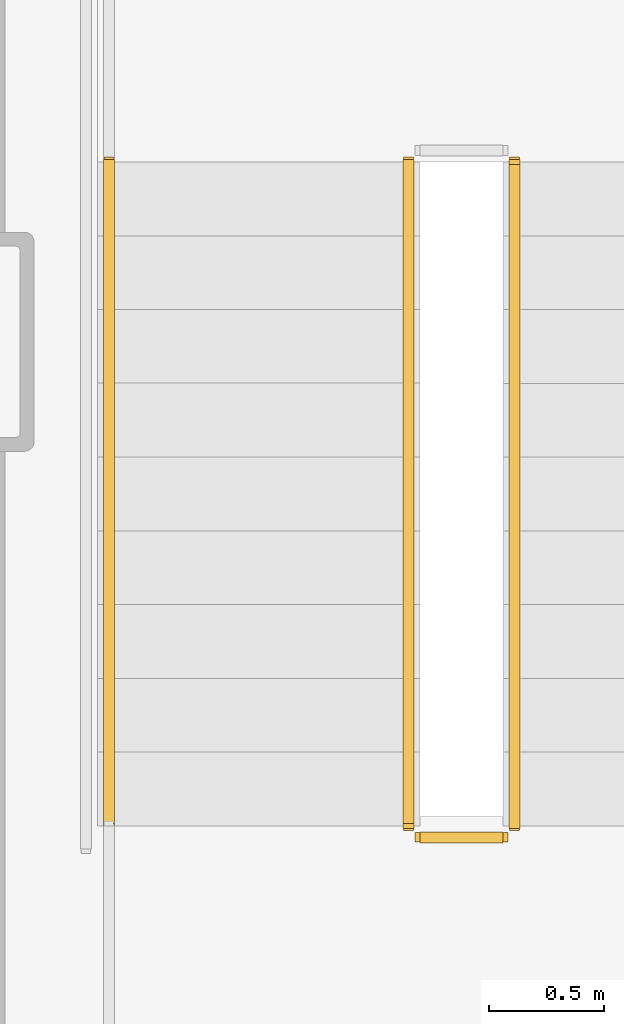
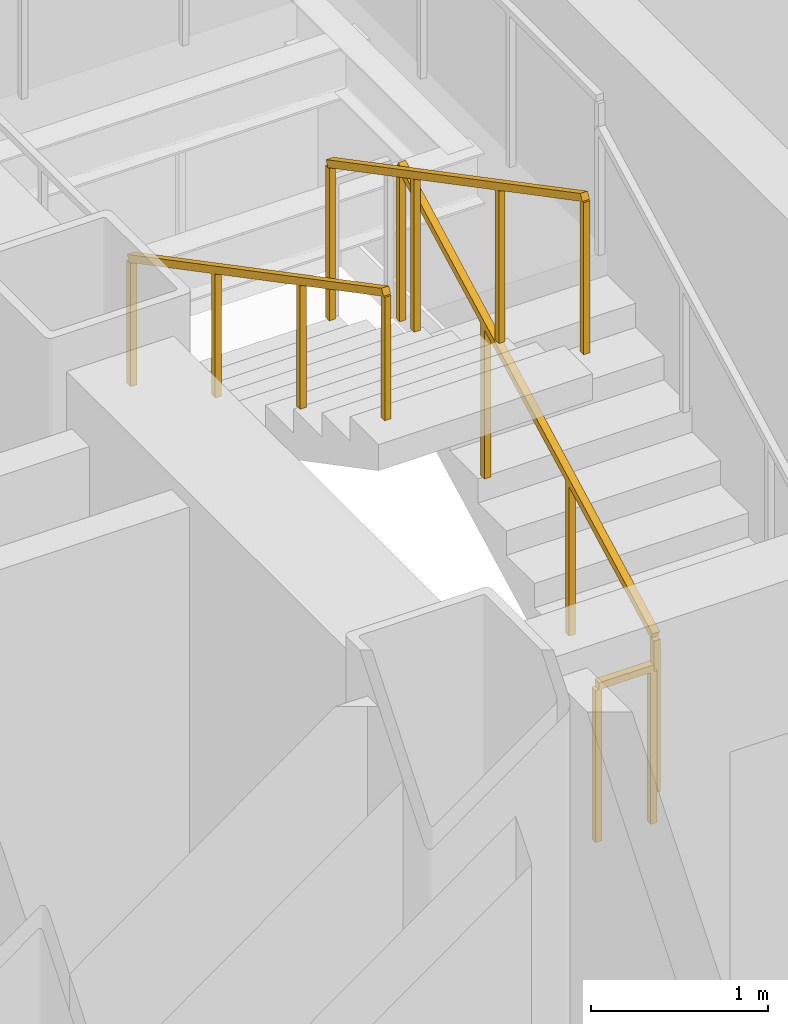
# One storey, part 10 of 13: 4 railings.
"""IFC4 building model written with IfcOpenShell, lengths in metres."""

from ifc_helpers import new_model, si_unit, direction, frame, origin, origin_2d, place, context, subcontext, project, spatial, rectangle, extrude, material, layer, layer_set, type_object, element, save


model = new_model("IFC4")

# Units and contexts
model_context = context("Model", 3, precision=1e-05, world=origin(), true_north=direction((0.0, 1.0)))
body_context = subcontext(model_context, "Body", "Model", "MODEL_VIEW")
ifc_project = project(units=[si_unit("LENGTHUNIT", "METRE"), si_unit("AREAUNIT", "SQUARE_METRE"), si_unit("VOLUMEUNIT", "CUBIC_METRE"), si_unit("PLANEANGLEUNIT", "RADIAN"), si_unit("MASSUNIT", "GRAM", prefix="KILO")], contexts=[model_context])

# Site, building, storey
site_placement = place(None, origin())
site = spatial("IfcSite", under=ifc_project, at=site_placement, CompositionType="ELEMENT")
building_placement = place(site_placement, origin())
building = spatial("IfcBuilding", under=site, at=building_placement, Name="Rocaltana Carrier Exchange", CompositionType="ELEMENT")
storey_placement = place(building_placement, frame((0.0, 0.0, 59.679931640625)))
storey = spatial("IfcBuildingStorey", under=building, at=storey_placement, Name="L18", CompositionType="ELEMENT", Elevation=59.679931640625)

# Railings
ifc_material_1 = material(Name="Brushed Architectural Stainless Tube", Category="steel")
ifc_layer_1 = layer(ifc_material_1, 0.048095703125)
ifc_layer_set_1 = layer_set([ifc_layer_1], Name="Brushed Architectural Stainless Tube")
railing_type_1 = type_object("IfcRailingType", Name="Stair Wall Handrail 920", PredefinedType="HANDRAIL", material=ifc_layer_set_1)
railing_1_placement = place(storey_placement, frame((-5.25, 0.780029296875, 1.84814453125)))
element("IfcRailing", 1, at=railing_1_placement, inside=storey, type_object=railing_type_1, Name="L18 ST-1 stair handrail 2", PredefinedType="HANDRAIL", context=body_context, shape_type="SweptSolid", body=[
    extrude(rectangle(XDim=0.048095703125, YDim=0.048095703125, at=origin_2d()), frame((0.0, 0.0, 0.8759765625), z_axis=(0.0, -0.885411030485, 0.464808893091), x_axis=(1.0, 0.0, 0.0)), (0.0, 0.0, 1.0), 3.2529296875),
    extrude(rectangle(XDim=0.0419921875, YDim=0.0419921875, at=origin_2d()), origin(), (0.0, 0.0, 1.0), 0.851806640625),
    extrude(rectangle(XDim=0.0419921875, YDim=0.0419921875, at=origin_2d()), frame((0.0, -0.9599609375, 0.50390625)), (0.0, 0.0, 1.0), 0.851806640625),
    extrude(rectangle(XDim=0.0419921875, YDim=0.0419921875, at=origin_2d()), frame((0.0, -1.920166015625, 1.008056640625)), (0.0, 0.0, 1.0), 0.851806640625),
    extrude(rectangle(XDim=0.0419921875, YDim=0.0419921875, at=origin_2d()), frame((0.0, -2.880126953125, 1.511962890625)), (0.0, 0.0, 1.0), 0.851806640625),
])
ifc_material_2 = material(Name="Powder-Coated Aluminium 6063-T6", Category="aluminium")
ifc_layer_2 = layer(ifc_material_2, 0.048095703125)
ifc_layer_set_2 = layer_set([ifc_layer_2], Name="Powder-Coated Aluminium 6063-T6")
railing_type_2 = type_object("IfcRailingType", Name="Stair Well Guardrail 1100", PredefinedType="GUARDRAIL", material=ifc_layer_set_2)
railing_2_placement = place(storey_placement, frame((-3.489990234375, -2.10009765625, 0.16796875)))
element("IfcRailing", 2, at=railing_2_placement, inside=storey, type_object=railing_type_2, Name="L18 ST-1 stair guard 1", PredefinedType="GUARDRAIL", context=body_context, shape_type="SweptSolid", body=[
    extrude(rectangle(XDim=0.048095703125, YDim=0.048095703125, at=origin_2d()), frame((0.0, 0.0, 1.076171875), z_axis=(0.0, 0.8853801414, 0.46486772873), x_axis=(-1.0, 0.0, 0.0)), (0.0, 0.0, 1.0), 3.2529296875),
    extrude(rectangle(XDim=0.0419921875, YDim=0.0419921875, at=origin_2d()), origin(), (0.0, 0.0, 1.0), 1.052001953125),
    extrude(rectangle(XDim=0.0419921875, YDim=0.0419921875, at=origin_2d()), frame((0.0, 0.9599609375, 0.504150390625)), (0.0, 0.0, 1.0), 1.052001953125),
    extrude(rectangle(XDim=0.0419921875, YDim=0.0419921875, at=origin_2d()), frame((0.0, 1.920166015625, 1.008056640625)), (0.0, 0.0, 1.0), 1.052001953125),
    extrude(rectangle(XDim=0.0419921875, YDim=0.0419921875, at=origin_2d()), frame((0.0, 2.880126953125, 1.51220703125)), (0.0, 0.0, 1.0), 1.052001953125),
])
railing_3_placement = place(storey_placement, frame((-3.949951171875, 0.780029296875, 1.84814453125)))
element("IfcRailing", 3, at=railing_3_placement, inside=storey, type_object=railing_type_2, Name="L18 ST-1 stair guard 6", PredefinedType="GUARDRAIL", context=body_context, shape_type="SweptSolid", body=[
    extrude(rectangle(XDim=0.048095703125, YDim=0.048095703125, at=origin_2d()), frame((0.0, 0.0, 1.076171875), z_axis=(0.0, -0.885411030485, 0.464808893091), x_axis=(1.0, 0.0, 0.0)), (0.0, 0.0, 1.0), 3.2529296875),
    extrude(rectangle(XDim=0.0419921875, YDim=0.0419921875, at=origin_2d()), origin(), (0.0, 0.0, 1.0), 1.052001953125),
    extrude(rectangle(XDim=0.0419921875, YDim=0.0419921875, at=origin_2d()), frame((0.0, -0.9599609375, 0.50390625)), (0.0, 0.0, 1.0), 1.052001953125),
    extrude(rectangle(XDim=0.0419921875, YDim=0.0419921875, at=origin_2d()), frame((0.0, -1.920166015625, 1.008056640625)), (0.0, 0.0, 1.0), 1.052001953125),
    extrude(rectangle(XDim=0.0419921875, YDim=0.0419921875, at=origin_2d()), frame((0.0, -2.880126953125, 1.511962890625)), (0.0, 0.0, 1.0), 1.052001953125),
])
railing_4_placement = place(storey_placement, frame((-3.5400390625, -2.14990234375, 0.0)))
element("IfcRailing", 4, at=railing_4_placement, inside=storey, type_object=railing_type_2, Name="L18 ST-1 stair guard 7", PredefinedType="GUARDRAIL", context=body_context, shape_type="SweptSolid", body=[
    extrude(rectangle(XDim=0.048095703125, YDim=0.048095703125, at=origin_2d()), frame((0.0, 0.0, 1.076171875), z_axis=(-1.0, 0.0, 0.0), x_axis=(0.0, -1.0, 0.0)), (0.0, 0.0, 1.0), 0.35986328125),
    extrude(rectangle(XDim=0.0419921875, YDim=0.0419921875, at=origin_2d()), origin(), (0.0, 0.0, 1.0), 1.052001953125),
    extrude(rectangle(XDim=0.0419921875, YDim=0.0419921875, at=origin_2d()), frame((-0.35986328125, 0.0, 0.0)), (0.0, 0.0, 1.0), 1.052001953125),
])

save(model, "model.ifc")
